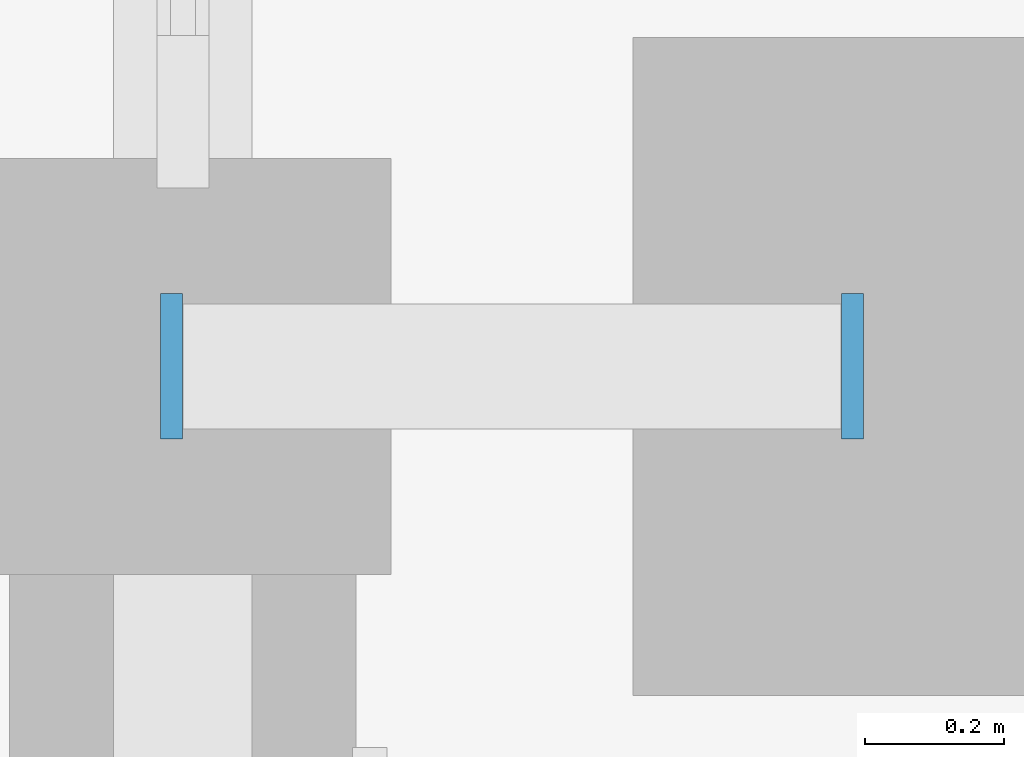
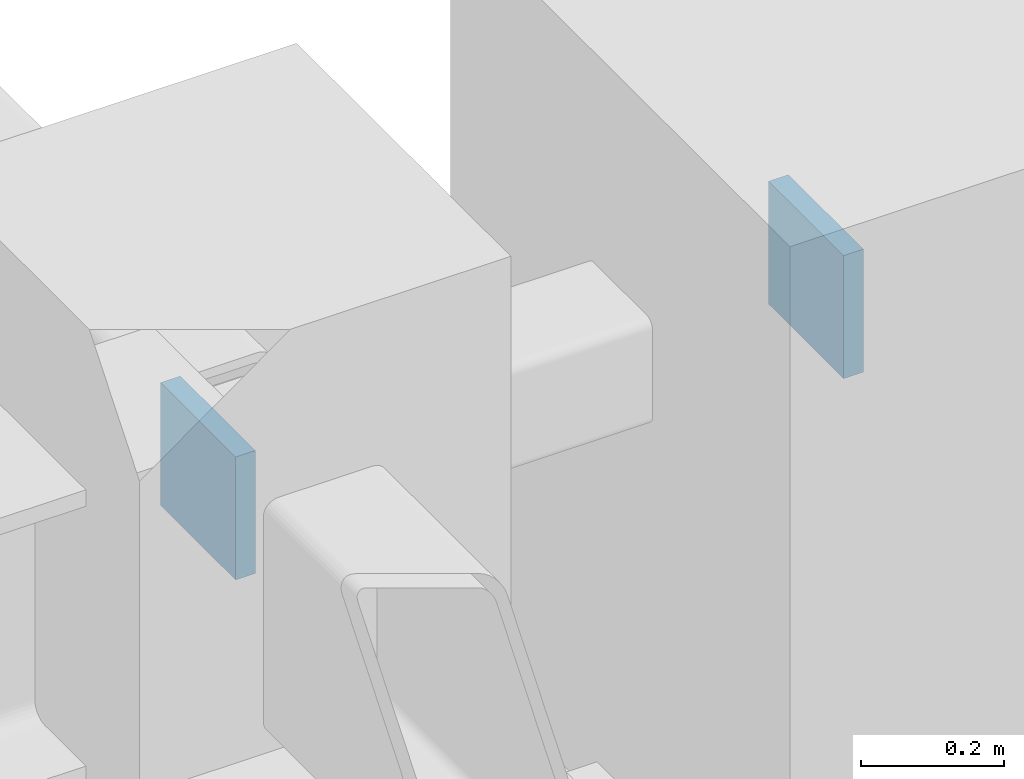
# One storey, part 118 of 145: 2 plates.
"""IFC4 building model written with IfcOpenShell, lengths in metres."""

from ifc_helpers import new_model, si_unit, direction, frame, origin, origin_2d, place, context, subcontext, project, spatial, rectangle, extrude, material, layer, layer_set, type_object, element, save


model = new_model("IFC4")

# Units and contexts
model_context = context("Model", 3, precision=1e-05, world=origin(), true_north=direction((0.0, 1.0)))
body_context = subcontext(model_context, "Body", "Model", "MODEL_VIEW")
ifc_project = project(units=[si_unit("LENGTHUNIT", "METRE"), si_unit("AREAUNIT", "SQUARE_METRE"), si_unit("VOLUMEUNIT", "CUBIC_METRE"), si_unit("PLANEANGLEUNIT", "RADIAN"), si_unit("MASSUNIT", "GRAM", prefix="KILO"), si_unit("THERMODYNAMICTEMPERATUREUNIT", "KELVIN"), si_unit("POWERUNIT", "WATT")], contexts=[model_context])

# Site, building, storey
site_placement = place(None, origin())
site = spatial("IfcSite", under=ifc_project, at=site_placement, CompositionType="ELEMENT")
building_placement = place(site_placement, origin())
building = spatial("IfcBuilding", under=site, at=building_placement, Name="Korenveer Ferry Terminal", CompositionType="ELEMENT")
storey_placement = place(building_placement, origin())
storey = spatial("IfcBuildingStorey", under=building, at=storey_placement, Name="L00", CompositionType="ELEMENT", Elevation=0.0)

# Plates
ifc_material = material(Name="Steel S355", Category="steel")
ifc_layer = layer(ifc_material, 0.031982421875)
ifc_layer_set = layer_set([ifc_layer], Name="Steel S355")
plate_type = type_object("IfcPlateType", Name="STR-PLT-CAP32", PredefinedType="USERDEFINED", material=ifc_layer_set)
for number, where, z_axis, x_axis, name in (
    (1, (175.9677734375, 70.0, 4.949951171875), (1.0, 0.0, 0.0), (0.0, 1.0, 0.0), "Hollow section end cap 143"),
    (2, (176.9501953125, 70.0, 4.949951171875), (1.0, 0.0, 0.0), (0.0, 1.0, 0.0), "Hollow section end cap 144"),
):
    element("IfcPlate", number, at=place(storey_placement, frame(where, z_axis=z_axis, x_axis=x_axis)), inside=storey, type_object=plate_type, Name=name, ObjectType="END CAP PLATE", PredefinedType="USERDEFINED", context=body_context, shape_type="SweptSolid", body=[
        extrude(rectangle(XDim=0.2099609375, YDim=0.2099609375, at=origin_2d()), origin(), (0.0, 0.0, 1.0), 0.031982421875),
    ])

save(model, "model.ifc")
